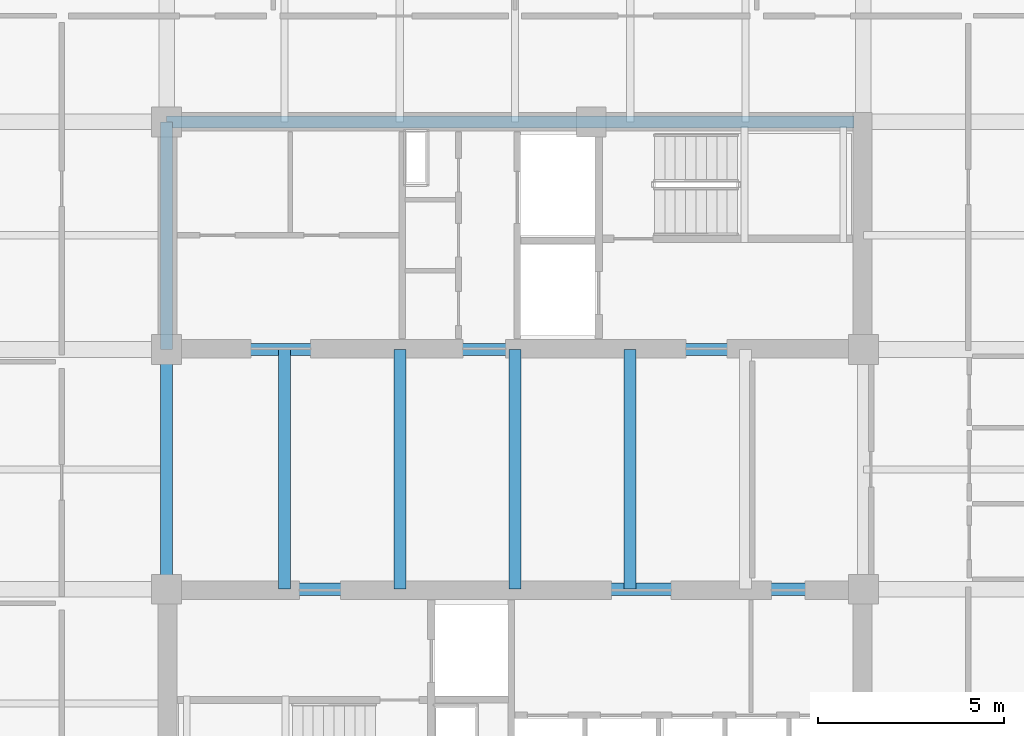
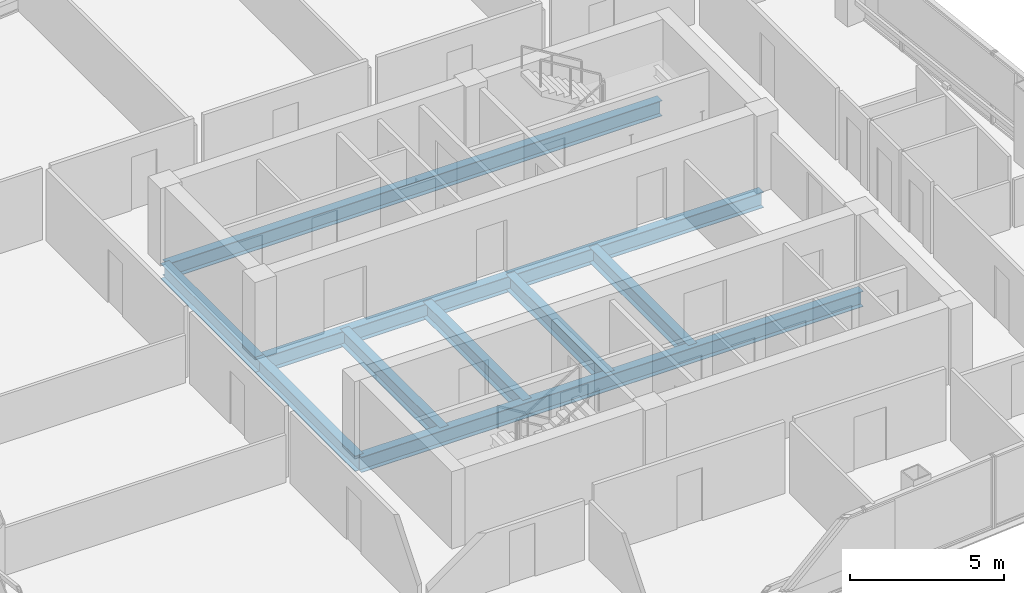
# One storey, part 12 of 29: 9 beams.
"""IFC4 building model written with IfcOpenShell, lengths in metres."""

import ifcopenshell
import ifcopenshell.guid

model = None  # the IFC model being written
_history = None  # IfcOwnerHistory: only IFC2X3 demands one
_inside = {}  # id of a spatial element -> (the spatial element, [elements in it])
_under = {}  # id of a project, library or spatial element -> (it, [spatial elements below it])
_declared = {}  # id of a project -> (the project, [libraries it declares])
_typed = {}  # id of a type object -> (the type object, [elements of that type])
_made_of = {}  # id of a material, layer set ... -> (it, [elements and type objects made of it])


def new_model(schema):
    """Start an empty IFC model of exactly this schema.

    Asked for "IFC4X3", IfcOpenShell would pick the latest addendum, in which some entities
    have other attributes; the version numbers below select the first issue.
    IFC2X3 requires an IfcOwnerHistory on every rooted entity: one is made here for all.
    """
    global model, _history
    if schema == "IFC4X3":
        model = ifcopenshell.file(schema_version=(4, 3, 0, 0))
    else:
        model = ifcopenshell.file(schema=schema)
    _inside.clear()
    _under.clear()
    _declared.clear()
    _typed.clear()
    _made_of.clear()
    _history = None
    if model.schema == "IFC2X3":
        org = make("IfcOrganization", Name="unknown")
        user = make(
            "IfcPersonAndOrganization",
            ThePerson=make("IfcPerson", FamilyName="unknown"),
            TheOrganization=org,
        )
        app = make(
            "IfcApplication",
            ApplicationDeveloper=org,
            Version="unknown",
            ApplicationFullName="unknown",
            ApplicationIdentifier="unknown",
        )
        _history = make(
            "IfcOwnerHistory",
            OwningUser=user,
            OwningApplication=app,
            ChangeAction="ADDED",
            CreationDate=0,
        )
    return model


def make(cls, **values):
    """One entity of the class cls with the attributes given. An attribute that is None is left unset."""
    return model.create_entity(
        cls, **{name: value for name, value in values.items() if value is not None}
    )


def rooted(cls, **values):
    """An entity with a GlobalId (a new one), such as an element, a storey or a relation."""
    return make(cls, GlobalId=ifcopenshell.guid.new(), OwnerHistory=_history, **values)


def si_unit(unit_type, name, prefix=None):
    """IfcSIUnit, for example si_unit("LENGTHUNIT", "METRE", prefix="MILLI")."""
    return make("IfcSIUnit", UnitType=unit_type, Prefix=prefix, Name=name)


def assignment(units):
    """IfcUnitAssignment: the units of a project."""
    return None if units is None else make("IfcUnitAssignment", Units=units)


def point(xyz):
    """IfcCartesianPoint."""
    return None if xyz is None else make("IfcCartesianPoint", Coordinates=xyz)


def direction(xyz):
    """IfcDirection."""
    return None if xyz is None else make("IfcDirection", DirectionRatios=xyz)


def frame(location, z_axis=None, x_axis=None):
    """IfcAxis2Placement3D, a coordinate frame: its origin and axes. An axis left out is left unset."""
    return make(
        "IfcAxis2Placement3D",
        Location=point(location),
        Axis=direction(z_axis),
        RefDirection=direction(x_axis),
    )


def frame_2d(location, x_axis=None):
    """IfcAxis2Placement2D, a coordinate frame in the plane: its origin and x axis."""
    return make(
        "IfcAxis2Placement2D", Location=point(location), RefDirection=direction(x_axis)
    )


def origin():
    """The frame at (0, 0, 0) with its axes left unset."""
    return frame((0.0, 0.0, 0.0))


def origin_2d():
    """The frame at (0, 0) in the plane with its x axis left unset."""
    return frame_2d((0.0, 0.0))


def place(relative_to, where):
    """IfcLocalPlacement: puts the frame where relative to a parent placement (None: the world)."""
    return make(
        "IfcLocalPlacement", PlacementRelTo=relative_to, RelativePlacement=where
    )


def context(
    kind, dimensions, precision=None, world=None, true_north=None, identifier=None
):
    """IfcGeometricRepresentationContext, for example the 3D "Model" context."""
    return make(
        "IfcGeometricRepresentationContext",
        ContextIdentifier=identifier,
        ContextType=kind,
        CoordinateSpaceDimension=dimensions,
        Precision=precision,
        WorldCoordinateSystem=world,
        TrueNorth=true_north,
    )


def subcontext(parent, identifier, kind, view, scale=None):
    """IfcGeometricRepresentationSubContext, for example "Body" below "Model"."""
    return make(
        "IfcGeometricRepresentationSubContext",
        ContextIdentifier=identifier,
        ContextType=kind,
        ParentContext=parent,
        TargetScale=scale,
        TargetView=view,
    )


def project(units=None, contexts=None):
    """IfcProject with its units and contexts."""
    return rooted(
        "IfcProject",
        Name="project",
        RepresentationContexts=contexts,
        UnitsInContext=assignment(units),
    )


def spatial(cls, under=None, at=None, **own):
    """A site, building, storey or space (cls), placed at a placement, below another one or the project."""
    s = rooted(cls, ObjectPlacement=at, **own)
    if under is not None:
        _under.setdefault(under.id(), (under, []))[1].append(s)
    return s


def profile(cls, at=None, kind="AREA", **sizes):
    """A parametric profile (cls). Its sizes go by their IFC names, for example OverallWidth=200.0."""
    return make(cls, ProfileType=kind, Position=at, **sizes)


def i_section(**sizes):
    """IfcIShapeProfileDef."""
    return profile("IfcIShapeProfileDef", **sizes)


def extrude(swept, where, along, depth):
    """IfcExtrudedAreaSolid: the profile swept, set in the frame where, extruded along a direction by depth."""
    return make(
        "IfcExtrudedAreaSolid",
        SweptArea=swept,
        Position=where,
        ExtrudedDirection=direction(along),
        Depth=depth,
    )


def shape(context_of_items, identifier, shape_type, items):
    """IfcShapeRepresentation: the items that make up one representation, for example the "Body"."""
    return make(
        "IfcShapeRepresentation",
        ContextOfItems=context_of_items,
        RepresentationIdentifier=identifier,
        RepresentationType=shape_type,
        Items=items,
    )


def material(Name=None, Category=None):
    """IfcMaterial."""
    return make("IfcMaterial", Name=Name, Category=Category)


def material_profile(
    of_material, cross_section, Name=None, Category=None, Priority=None
):
    """IfcMaterialProfile: a cross section and its material."""
    return make(
        "IfcMaterialProfile",
        Name=Name,
        Material=of_material,
        Profile=cross_section,
        Priority=Priority,
        Category=Category,
    )


def profile_set(profiles, Name=None, composite=None):
    """IfcMaterialProfileSet."""
    return make(
        "IfcMaterialProfileSet",
        Name=Name,
        MaterialProfiles=profiles,
        CompositeProfile=composite,
    )


def made_of(thing, what):
    """Note that an element or type object is made of a material, layer set ...; save() writes the relation."""
    if what is not None:
        _made_of.setdefault(what.id(), (what, []))[1].append(thing)
    return thing


def type_object(cls, material=None, **own):
    """A type object (cls), such as IfcWallType, which elements share."""
    return made_of(rooted(cls, **own), material)


def element(
    cls,
    number,
    at=None,
    inside=None,
    cuts=None,
    type_object=None,
    material=None,
    context=None,
    identifier="Body",
    shape_type=None,
    held_by="IfcProductDefinitionShape",
    body=None,
    shapes=None,
    **own,
):
    """One element of the class cls, such as IfcWall. Its Tag is "e" and its number.

    at: its placement. inside: the storey or other place that contains it. cuts: it is an
    opening in that element (IfcRelVoidsElement). A single representation is given by context,
    identifier, shape_type and body (its items); several are given by shapes. held_by: the class
    of the entity that holds the representations. save() writes the other relations.
    """
    e = rooted(cls, Tag="e%d" % number, ObjectPlacement=at, **own)
    if body is not None:
        shapes = [shape(context, identifier, shape_type, body)]
    if shapes is not None:
        e.Representation = make(held_by, Representations=shapes)
    if inside is not None:
        _inside.setdefault(inside.id(), (inside, []))[1].append(e)
    if cuts is not None:
        rooted(
            "IfcRelVoidsElement", RelatingBuildingElement=cuts, RelatedOpeningElement=e
        )
    if type_object is not None:
        _typed.setdefault(type_object.id(), (type_object, []))[1].append(e)
    return made_of(e, material)


def aggregate(whole, parts):
    """IfcRelAggregates: a whole, such as a stair, and the parts it consists of."""
    return rooted("IfcRelAggregates", RelatingObject=whole, RelatedObjects=parts)


def save(model, path):
    """Write the relations noted so far, then the file.

    IfcRelAggregates (storeys below a building ...), IfcRelContainedInSpatialStructure (elements
    in a storey), IfcRelDefinesByType, IfcRelAssociatesMaterial and IfcRelDeclares: one each for
    every whole, place, type object, material and project.
    """
    for whole, parts in _under.values():
        aggregate(whole, parts)
    for where, things in _inside.values():
        rooted(
            "IfcRelContainedInSpatialStructure",
            RelatedElements=things,
            RelatingStructure=where,
        )
    for kind, things in _typed.values():
        rooted("IfcRelDefinesByType", RelatedObjects=things, RelatingType=kind)
    for what, things in _made_of.values():
        rooted("IfcRelAssociatesMaterial", RelatedObjects=things, RelatingMaterial=what)
    for by, libraries in _declared.values():
        rooted("IfcRelDeclares", RelatingContext=by, RelatedDefinitions=libraries)
    model.write(path)


model = new_model("IFC4")

# Units and contexts
model_context = context("Model", 3, precision=1e-05, world=origin(), true_north=direction((0.0, 1.0)))
body_context = subcontext(model_context, "Body", "Model", "MODEL_VIEW")
ifc_project = project(units=[si_unit("LENGTHUNIT", "METRE"), si_unit("AREAUNIT", "SQUARE_METRE"), si_unit("VOLUMEUNIT", "CUBIC_METRE"), si_unit("PLANEANGLEUNIT", "RADIAN"), si_unit("MASSUNIT", "GRAM", prefix="KILO")], contexts=[model_context])

# Site, building, storey
site_placement = place(None, origin())
site = spatial("IfcSite", under=ifc_project, at=site_placement, CompositionType="ELEMENT")
building_placement = place(site_placement, origin())
building = spatial("IfcBuilding", under=site, at=building_placement, Name="Qhalaya Broadcast Tower", CompositionType="ELEMENT")
storey_placement = place(building_placement, frame((0.0, 0.0, 177.5)))
storey = spatial("IfcBuildingStorey", under=building, at=storey_placement, Name="L52", CompositionType="ELEMENT", Elevation=177.5)

# Beams
ifc_material = material(Name="Structural Steel ASTM A992 Grade 50", Category="steel")
ifc_material_profile = material_profile(ifc_material, i_section(OverallWidth=0.323974609375, OverallDepth=0.612060546875, WebThickness=0.0126953125, FlangeThickness=0.01904296875, at=origin_2d()), Name="W24X104")
ifc_profile_set = profile_set([ifc_material_profile], Name="Structural Steel ASTM A992 Grade 50")
beam_type = type_object("IfcBeamType", Name="Core Frame Tie Beam B04", PredefinedType="BEAM", material=ifc_profile_set)
beam_1_placement = place(storey_placement, frame((-9.375, 3.824951171875, -0.52587890625), z_axis=(1.0, 0.0, 0.0), x_axis=(0.0, 1.0, 0.0)))
element("IfcBeam", 1, at=beam_1_placement, inside=storey, type_object=beam_type, Name="L52 B04 L52-CCN1", PredefinedType="BEAM", context=body_context, shape_type="SweptSolid", body=[
    extrude(i_section(OverallWidth=0.323974609375, OverallDepth=0.612060546875, WebThickness=0.0126953125, FlangeThickness=0.01904296875, at=origin_2d()), origin(), (0.0, 0.0, 1.0), 18.75),
])
beam_2_placement = place(storey_placement, frame((-9.375, 3.824951171875, -0.52587890625), z_axis=(0.0, 1.0, 0.0), x_axis=(-1.0, 0.0, 0.0)))
element("IfcBeam", 2, at=beam_2_placement, inside=storey, type_object=beam_type, Name="L52 B04 L52-CCN2", PredefinedType="BEAM", context=body_context, shape_type="SweptSolid", body=[
    extrude(i_section(OverallWidth=0.323974609375, OverallDepth=0.612060546875, WebThickness=0.0126953125, FlangeThickness=0.01904296875, at=origin_2d()), origin(), (0.0, 0.0, 1.0), 6.125),
])
beam_3_placement = place(storey_placement, frame((-9.375, 9.949951171875, -0.52587890625), z_axis=(1.0, 0.0, 0.0), x_axis=(0.0, 1.0, 0.0)))
element("IfcBeam", 3, at=beam_3_placement, inside=storey, type_object=beam_type, Name="L52 B04 L52-CCN3", PredefinedType="BEAM", context=body_context, shape_type="SweptSolid", body=[
    extrude(i_section(OverallWidth=0.323974609375, OverallDepth=0.612060546875, WebThickness=0.0126953125, FlangeThickness=0.01904296875, at=origin_2d()), origin(), (0.0, 0.0, 1.0), 18.4951171875),
])
beam_4_placement = place(storey_placement, frame((-9.375, -2.625, -0.52587890625), z_axis=(1.0, 0.0, 0.0), x_axis=(0.0, 1.0, 0.0)))
element("IfcBeam", 4, at=beam_4_placement, inside=storey, type_object=beam_type, Name="L52 B04 L52-CCS1", PredefinedType="BEAM", context=body_context, shape_type="SweptSolid", body=[
    extrude(i_section(OverallWidth=0.323974609375, OverallDepth=0.612060546875, WebThickness=0.0126953125, FlangeThickness=0.01904296875, at=origin_2d()), origin(), (0.0, 0.0, 1.0), 18.75),
])
for number, where, z_axis, x_axis, name in (
    (5, (-9.375, -2.625, -0.52587890625), (0.0, 1.0, 0.0), (-1.0, 0.0, 0.0), "L52 B04 L52-CCW"),
    (6, (-6.199951171875, -2.625, -0.52587890625), (0.0, 1.0, 0.0), (-1.0, 0.0, 0.0), "L52 B04 L52-JC1-1"),
    (7, (-3.10009765625, -2.625, -0.52587890625), (0.0, 1.0, 0.0), (-1.0, 0.0, 0.0), "L52 B04 L52-JC2-1"),
    (8, (0.0, -2.625, -0.52587890625), (0.0, 1.0, 0.0), (-1.0, 0.0, 0.0), "L52 B04 L52-JC3-1"),
    (9, (3.10009765625, -2.625, -0.52587890625), (0.0, 1.0, 0.0), (-1.0, 0.0, 0.0), "L52 B04 L52-JC4-1"),
):
    element("IfcBeam", number, at=place(storey_placement, frame(where, z_axis=z_axis, x_axis=x_axis)), inside=storey, type_object=beam_type, Name=name, PredefinedType="BEAM", context=body_context, shape_type="SweptSolid", body=[
        extrude(i_section(OverallWidth=0.323974609375, OverallDepth=0.612060546875, WebThickness=0.0126953125, FlangeThickness=0.01904296875, at=origin_2d()), origin(), (0.0, 0.0, 1.0), 6.449951171875),
    ])

save(model, "model.ifc")
